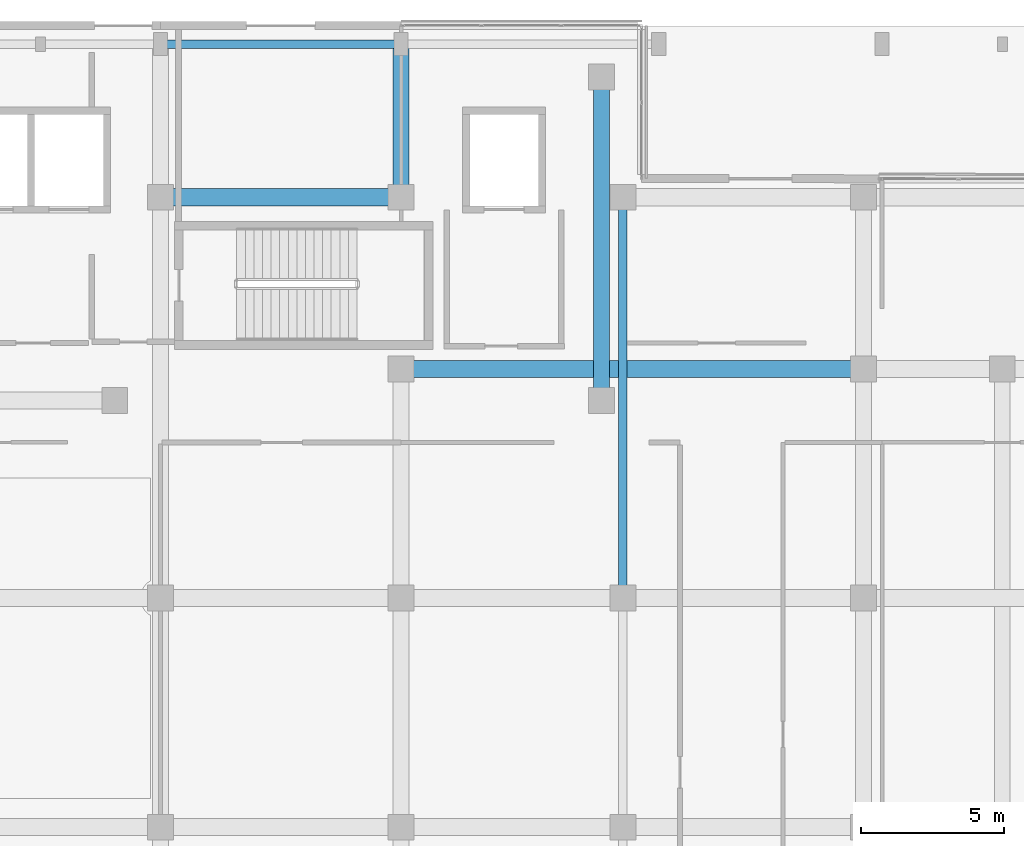
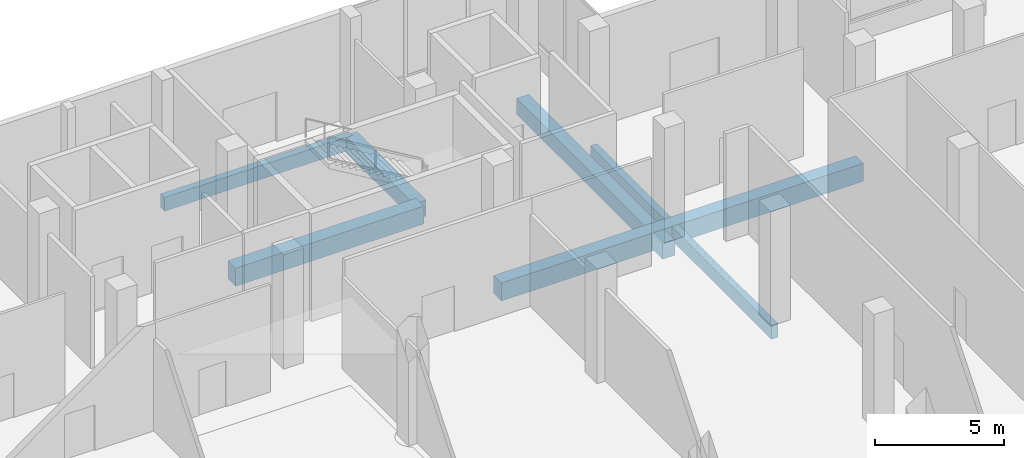
# One storey, part 113 of 158: 6 beams.
"""IFC4 building model written with IfcOpenShell, lengths in metres."""

from ifc_helpers import new_model, si_unit, direction, frame, origin, origin_2d, place, context, subcontext, project, spatial, rectangle, extrude, material, material_profile, profile_set, type_object, element, save


model = new_model("IFC4")

# Units and contexts
model_context = context("Model", 3, precision=1e-05, world=origin(), true_north=direction((0.0, 1.0)))
body_context = subcontext(model_context, "Body", "Model", "MODEL_VIEW")
ifc_project = project(units=[si_unit("LENGTHUNIT", "METRE"), si_unit("AREAUNIT", "SQUARE_METRE"), si_unit("VOLUMEUNIT", "CUBIC_METRE"), si_unit("PLANEANGLEUNIT", "RADIAN"), si_unit("MASSUNIT", "GRAM", prefix="KILO")], contexts=[model_context])

# Site, building, storey
site_placement = place(None, origin())
site = spatial("IfcSite", under=ifc_project, at=site_placement, CompositionType="ELEMENT")
building_placement = place(site_placement, origin())
building = spatial("IfcBuilding", under=site, at=building_placement, Name="Selatvlak General Hospital", CompositionType="ELEMENT")
storey_placement = place(building_placement, origin())
storey = spatial("IfcBuildingStorey", under=building, at=storey_placement, Name="L00", CompositionType="ELEMENT", Elevation=0.0)

# Beams
ifc_material = material(Name="Concrete C40/50", Category="concrete")
ifc_material_profile_1 = material_profile(ifc_material, rectangle(XDim=0.60009765625, YDim=0.85009765625, at=origin_2d()), Name="RC-BM 600x850")
ifc_profile_set_1 = profile_set([ifc_material_profile_1], Name="Concrete C40/50")
beam_type_1 = type_object("IfcBeamType", Name="BM-G01", PredefinedType="BEAM", material=ifc_profile_set_1)
beam_1_placement = place(storey_placement, frame((140.39990234375, 108.0, -0.77490234375), z_axis=(1.0, 0.0, 0.0), x_axis=(0.0, 1.0, 0.0)))
element("IfcBeam", 1, at=beam_1_placement, inside=storey, type_object=beam_type_1, Name="Beam BMR-L00-0127", PredefinedType="BEAM", context=body_context, shape_type="SweptSolid", body=[
    extrude(rectangle(XDim=0.60009765625, YDim=0.85009765625, at=origin_2d()), origin(), (0.0, 0.0, 1.0), 16.150146484375),
])
beam_2_placement = place(storey_placement, frame((132.0, 114.0, -0.77490234375), z_axis=(1.0, 0.0, 0.0), x_axis=(0.0, 1.0, 0.0)))
element("IfcBeam", 2, at=beam_2_placement, inside=storey, type_object=beam_type_1, Name="Beam BMR-L00-0141", PredefinedType="BEAM", context=body_context, shape_type="SweptSolid", body=[
    extrude(rectangle(XDim=0.60009765625, YDim=0.85009765625, at=origin_2d()), origin(), (0.0, 0.0, 1.0), 8.39990234375),
])
ifc_material_profile_2 = material_profile(ifc_material, rectangle(XDim=0.550048828125, YDim=0.75, at=origin_2d()), Name="RC-BM 550x750")
ifc_profile_set_2 = profile_set([ifc_material_profile_2], Name="Concrete C40/50")
beam_type_2 = type_object("IfcBeamType", Name="BM-G02", PredefinedType="BEAM", material=ifc_profile_set_2)
beam_3_placement = place(storey_placement, frame((140.39990234375, 114.0, -0.72509765625), z_axis=(0.0, 1.0, 0.0), x_axis=(-1.0, 0.0, 0.0)))
element("IfcBeam", 3, at=beam_3_placement, inside=storey, type_object=beam_type_2, Name="Beam BMR-L00-0265", PredefinedType="BEAM", context=body_context, shape_type="SweptSolid", body=[
    extrude(rectangle(XDim=0.550048828125, YDim=0.75, at=origin_2d()), origin(), (0.0, 0.0, 1.0), 5.35009765625),
])
beam_4_placement = place(storey_placement, frame((147.39990234375, 106.89990234375, -0.72509765625), z_axis=(0.0, 1.0, 0.0), x_axis=(-1.0, 0.0, 0.0)))
element("IfcBeam", 4, at=beam_4_placement, inside=storey, type_object=beam_type_2, Name="Beam BMR-L00-0266", PredefinedType="BEAM", context=body_context, shape_type="SweptSolid", body=[
    extrude(rectangle(XDim=0.550048828125, YDim=0.75, at=origin_2d()), origin(), (0.0, 0.0, 1.0), 11.300048828125),
])
ifc_material_profile_3 = material_profile(ifc_material, rectangle(XDim=0.300048828125, YDim=0.64990234375, at=origin_2d()), Name="RC-SP 300x650")
ifc_profile_set_3 = profile_set([ifc_material_profile_3], Name="Concrete C40/50")
beam_type_3 = type_object("IfcBeamType", Name="BM-SP1", PredefinedType="SPANDREL", material=ifc_profile_set_3)
beam_5_placement = place(storey_placement, frame((132.0, 119.35009765625, -0.675048828125), z_axis=(1.0, 0.0, 0.0), x_axis=(0.0, 1.0, 0.0)))
element("IfcBeam", 5, at=beam_5_placement, inside=storey, type_object=beam_type_3, Name="Beam BMR-L00-0156", PredefinedType="SPANDREL", context=body_context, shape_type="SweptSolid", body=[
    extrude(rectangle(XDim=0.300048828125, YDim=0.64990234375, at=origin_2d()), origin(), (0.0, 0.0, 1.0), 8.39990234375),
])
beam_6_placement = place(storey_placement, frame((148.14990234375, 100.0, -0.675048828125), z_axis=(0.0, 1.0, 0.0), x_axis=(-1.0, 0.0, 0.0)))
element("IfcBeam", 6, at=beam_6_placement, inside=storey, type_object=beam_type_3, Name="Beam BMR-L00-0274", PredefinedType="SPANDREL", context=body_context, shape_type="SweptSolid", body=[
    extrude(rectangle(XDim=0.300048828125, YDim=0.64990234375, at=origin_2d()), origin(), (0.0, 0.0, 1.0), 14.0),
])

save(model, "model.ifc")
